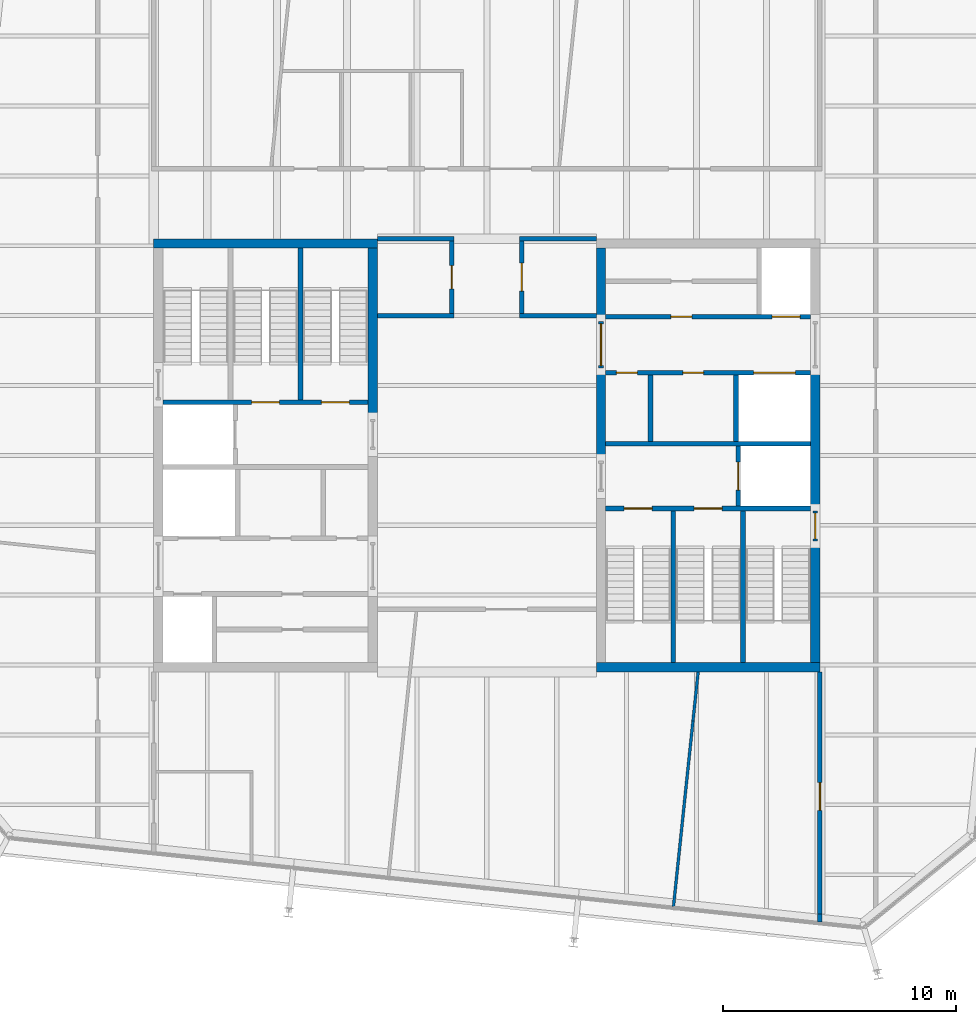
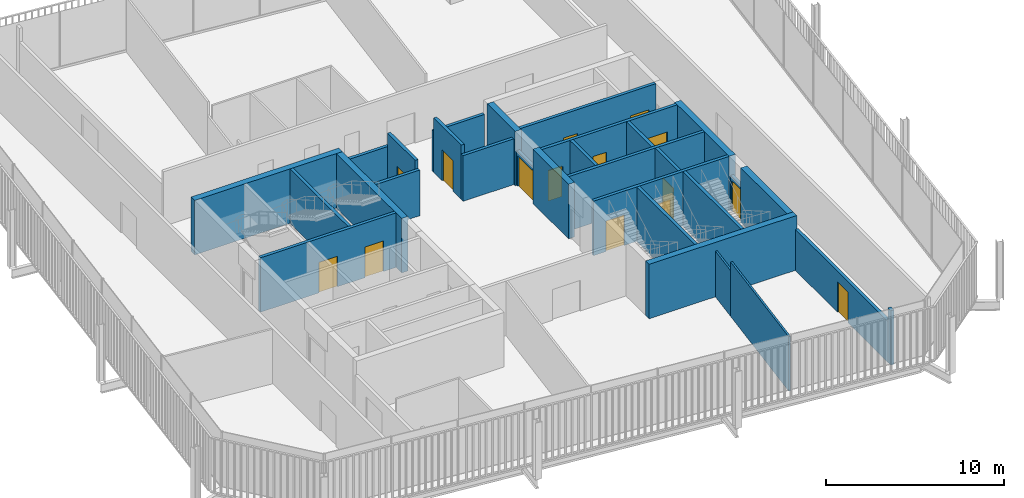
# One storey, part 17 of 20: 30 walls, 15 doors, 15 openings.
"""IFC4 building model written with IfcOpenShell, lengths in metres."""

from ifc_helpers import new_model, si_unit, direction, frame, frame_2d, origin, place, context, subcontext, project, spatial, rectangle, extrude, material, layer, layer_set, type_object, element, fill, save


model = new_model("IFC4")

# Units and contexts
model_context = context("Model", 3, precision=1e-05, world=origin(), true_north=direction((0.0, 1.0)))
body_context = subcontext(model_context, "Body", "Model", "MODEL_VIEW")
ifc_project = project(units=[si_unit("LENGTHUNIT", "METRE"), si_unit("AREAUNIT", "SQUARE_METRE"), si_unit("VOLUMEUNIT", "CUBIC_METRE"), si_unit("PLANEANGLEUNIT", "RADIAN"), si_unit("MASSUNIT", "GRAM", prefix="KILO")], contexts=[model_context])

# Site, building, storey
site_placement = place(None, origin())
site = spatial("IfcSite", under=ifc_project, at=site_placement, CompositionType="ELEMENT")
building_placement = place(site_placement, origin())
building = spatial("IfcBuilding", under=site, at=building_placement, Name="Millrace Tower", CompositionType="ELEMENT")
storey_placement = place(building_placement, frame((0.0, 0.0, 303.300048828125)))
storey = spatial("IfcBuildingStorey", under=building, at=storey_placement, Name="L70", CompositionType="ELEMENT", Elevation=303.300048828125)

# Walls
ifc_material_1 = material(Name="Concrete C60", Category="concrete")
ifc_layer_1 = layer(ifc_material_1, 0.39990234375)
ifc_layer_set_1 = layer_set([ifc_layer_1], Name="Concrete C60")
wall_type_1 = type_object("IfcWallType", Name="Core wall 400 Concrete C60", PredefinedType="SHEAR", material=ifc_layer_set_1)
wall_1_placement = place(storey_placement, frame((-14.300048828125, 9.10009765625, 0.0), z_axis=(0.0, 0.0, 1.0), x_axis=(1.0, 0.0, 0.0)))
element("IfcWall", 1, at=wall_1_placement, inside=storey, type_object=wall_type_1, Name="Core wall W L70", PredefinedType="SHEAR", context=body_context, shape_type="SweptSolid", body=[
    extrude(rectangle(XDim=9.60009765625, YDim=0.39990234375, at=frame_2d((4.800048828125, 0.0))), origin(), (0.0, 0.0, 1.0), 3.739990234375),
])
wall_2_placement = place(storey_placement, frame((-4.89990234375, 1.550048828125, 0.0), z_axis=(0.0, 0.0, 1.0), x_axis=(0.0, 1.0, 0.0)))
element("IfcWall", 2, at=wall_2_placement, inside=storey, type_object=wall_type_1, Name="Core wall W L70", PredefinedType="SHEAR", context=body_context, shape_type="SweptSolid", body=[
    extrude(rectangle(XDim=7.349853515625, YDim=0.39990234375, at=frame_2d((3.6748046875, 0.0))), origin(), (0.0, 0.0, 1.0), 3.739990234375),
])
wall_3_placement = place(storey_placement, frame((14.300048828125, -9.10009765625, 0.0), z_axis=(0.0, 0.0, 1.0), x_axis=(-1.0, 0.0, 0.0)))
element("IfcWall", 3, at=wall_3_placement, inside=storey, type_object=wall_type_1, Name="Core wall E L70", PredefinedType="SHEAR", context=body_context, shape_type="SweptSolid", body=[
    extrude(rectangle(XDim=9.60009765625, YDim=0.39990234375, at=frame_2d((4.800048828125, 0.0))), origin(), (0.0, 0.0, 1.0), 3.739990234375),
])
wall_4_placement = place(storey_placement, frame((14.10009765625, 3.75, 0.0), z_axis=(0.0, 0.0, 1.0), x_axis=(0.0, -1.0, 0.0)))
element("IfcWall", 4, at=wall_4_placement, inside=storey, type_object=wall_type_1, Name="Core wall E L70", PredefinedType="SHEAR", context=body_context, shape_type="SweptSolid", body=[
    extrude(rectangle(XDim=6.1298828125, YDim=0.39990234375, at=frame_2d((3.06494140625, 0.0))), origin(), (0.0, 0.0, 1.0), 3.739990234375),
])
wall_5_placement = place(storey_placement, frame((14.10009765625, -3.679931640625, 0.0), z_axis=(0.0, 0.0, 1.0), x_axis=(0.0, -1.0, 0.0)))
element("IfcWall", 5, at=wall_5_placement, inside=storey, type_object=wall_type_1, Name="Core wall E L70", PredefinedType="SHEAR", context=body_context, shape_type="SweptSolid", body=[
    extrude(rectangle(XDim=5.219970703125, YDim=0.39990234375, at=frame_2d((2.60986328125, 0.0))), origin(), (0.0, 0.0, 1.0), 3.739990234375),
])
wall_6_placement = place(storey_placement, frame((4.89990234375, 8.89990234375, 0.0), z_axis=(0.0, 0.0, 1.0), x_axis=(0.0, -1.0, 0.0)))
element("IfcWall", 6, at=wall_6_placement, inside=storey, type_object=wall_type_1, Name="Core wall E L70", PredefinedType="SHEAR", context=body_context, shape_type="SweptSolid", body=[
    extrude(rectangle(XDim=3.14990234375, YDim=0.39990234375, at=frame_2d((1.574951171875, 0.0))), origin(), (0.0, 0.0, 1.0), 3.739990234375),
])
wall_7_placement = place(storey_placement, frame((4.89990234375, 3.75, 0.0), z_axis=(0.0, 0.0, 1.0), x_axis=(0.0, -1.0, 0.0)))
element("IfcWall", 7, at=wall_7_placement, inside=storey, type_object=wall_type_1, Name="Core wall E L70", PredefinedType="SHEAR", context=body_context, shape_type="SweptSolid", body=[
    extrude(rectangle(XDim=4.0, YDim=0.39990234375, at=frame_2d((2.0, 0.0))), origin(), (0.0, 0.0, 1.0), 3.739990234375),
])
ifc_material_2 = material(Name="Masonry partition, fire-rated", Category="masonry")
ifc_layer_2 = layer(ifc_material_2, 0.199951171875)
ifc_layer_set_2 = layer_set([ifc_layer_2], Name="Masonry partition, fire-rated")
wall_type_2 = type_object("IfcWallType", Name="Corridor wall 200", PredefinedType="PARTITIONING", material=ifc_layer_set_2)
for number, where, z_axis, x_axis, name in (
    (8, (-4.699951171875, 6.0, 0.0), (0.0, 0.0, 1.0), (1.0, 0.0, 0.0), "Corridor wall L70"),
    (9, (1.39990234375, 6.0, 0.0), (0.0, 0.0, 1.0), (1.0, 0.0, 0.0), "Corridor wall L70"),
):
    element("IfcWall", number, at=place(storey_placement, frame(where, z_axis=z_axis, x_axis=x_axis)), inside=storey, type_object=wall_type_2, Name=name, PredefinedType="PARTITIONING", context=body_context, shape_type="SweptSolid", body=[
        extrude(rectangle(XDim=3.300048828125, YDim=0.199951171875, at=frame_2d((1.64990234375, 0.0))), origin(), (0.0, 0.0, 1.0), 3.140625),
    ])
for number, where, z_axis, x_axis, name in (
    (10, (-4.699951171875, 9.300048828125, 0.0), (0.0, 0.0, 1.0), (1.0, 0.0, 0.0), "Corridor wall L70"),
    (11, (1.39990234375, 9.300048828125, 0.0), (0.0, 0.0, 1.0), (1.0, 0.0, 0.0), "Corridor wall L70"),
):
    element("IfcWall", number, at=place(storey_placement, frame(where, z_axis=z_axis, x_axis=x_axis)), inside=storey, type_object=wall_type_2, Name=name, PredefinedType="PARTITIONING", context=body_context, shape_type="SweptSolid", body=[
        extrude(rectangle(XDim=3.300048828125, YDim=0.199951171875, at=frame_2d((1.64990234375, 0.0))), origin(), (0.0, 0.0, 1.0), 2.812744140625),
    ])
wall_8_placement = place(storey_placement, frame((14.300048828125, -20.037353515625, 0.0), z_axis=(0.0, 0.0, 1.0), x_axis=(0.0, 1.0, 0.0)))
element("IfcWall", 12, at=wall_8_placement, inside=storey, type_object=wall_type_2, Name="Corridor wall L70", PredefinedType="PARTITIONING", context=body_context, shape_type="SweptSolid", body=[
    extrude(rectangle(XDim=0.339111328125, YDim=0.199951171875, at=frame_2d((0.16943359375, 0.0))), origin(), (0.0, 0.0, 1.0), 3.739990234375),
])

# Wall, opening, door
wall_9_placement = place(storey_placement, frame((14.300048828125, -19.6982421875, 0.0), z_axis=(0.0, 0.0, 1.0), x_axis=(0.0, 1.0, 0.0)))
wall_9 = element("IfcWall", 13, at=wall_9_placement, inside=storey, type_object=wall_type_2, Name="Corridor wall L70", PredefinedType="PARTITIONING", context=body_context, shape_type="SweptSolid", body=[
    extrude(rectangle(XDim=10.398193359375, YDim=0.199951171875, at=frame_2d((5.19921875, 0.0))), origin(), (0.0, 0.0, 1.0), 2.812744140625),
])
opening_1_placement = place(wall_9_placement, frame((4.454833984375, 0.0, 0.0)))
opening_1 = element("IfcOpeningElement", 14, at=opening_1_placement, cuts=wall_9, Name="Opening 70-P013", PredefinedType="OPENING", context=body_context, shape_type="SweptSolid", body=[
    extrude(rectangle(XDim=1.199951171875, YDim=2.10009765625, at=frame_2d((0.60009765625, 1.050048828125))), frame((0.0, 0.10986328125, 0.0), z_axis=(0.0, -1.0, 0.0), x_axis=(1.0, 0.0, 0.0)), (0.0, 0.0, 1.0), 0.219970703125),
])
ifc_material_3 = material(Name="Steel door set, fire-rated", Category="steel")
door_type_1 = type_object("IfcDoorType", Name="Corridor door 1200 x 2100", OperationType="SINGLE_SWING_LEFT", PredefinedType="DOOR", material=ifc_material_3)
door_1_placement = place(opening_1_placement, origin())
door_1 = element("IfcDoor", 15, at=door_1_placement, inside=storey, type_object=door_type_1, Name="Door 70-P013", OperationType="SINGLE_SWING_LEFT", OverallHeight=2.10009765625, OverallWidth=1.199951171875, PredefinedType="DOOR", context=body_context, shape_type="SweptSolid", body=[
    extrude(rectangle(XDim=1.199951171875, YDim=2.10009765625, at=frame_2d((0.60009765625, 1.050048828125))), frame((0.0, 0.02490234375, 0.0), z_axis=(0.0, -1.0, 0.0), x_axis=(1.0, 0.0, 0.0)), (0.0, 0.0, 1.0), 0.050048828125),
])
fill(opening_1, door_1)

wall_10_placement = place(storey_placement, frame((1.5, 6.10009765625, 0.0), z_axis=(0.0, 0.0, 1.0), x_axis=(0.0, 1.0, 0.0)))
wall_10 = element("IfcWall", 16, at=wall_10_placement, inside=storey, type_object=wall_type_2, Name="Corridor wall L70", PredefinedType="PARTITIONING", context=body_context, shape_type="SweptSolid", body=[
    extrude(rectangle(XDim=3.099853515625, YDim=0.199951171875, at=frame_2d((1.5498046875, 0.0))), origin(), (0.0, 0.0, 1.0), 3.739990234375),
])
opening_2_placement = place(wall_10_placement, frame((0.949951171875, 0.0, 0.0)))
opening_2 = element("IfcOpeningElement", 17, at=opening_2_placement, cuts=wall_10, Name="Opening 70-P002", PredefinedType="OPENING", context=body_context, shape_type="SweptSolid", body=[
    extrude(rectangle(XDim=1.199951171875, YDim=2.10009765625, at=frame_2d((0.60009765625, 1.050048828125))), frame((0.0, 0.10986328125, 0.0), z_axis=(0.0, -1.0, 0.0), x_axis=(1.0, 0.0, 0.0)), (0.0, 0.0, 1.0), 0.219970703125),
])
door_2_placement = place(opening_2_placement, frame((1.199951171875, 0.0, 0.0), z_axis=(0.0, 0.0, 1.0), x_axis=(-1.0, 0.0, 0.0)))
door_2 = element("IfcDoor", 18, at=door_2_placement, inside=storey, type_object=door_type_1, Name="Door 70-P002", OperationType="SINGLE_SWING_LEFT", OverallHeight=2.10009765625, OverallWidth=1.199951171875, PredefinedType="DOOR", context=body_context, shape_type="SweptSolid", body=[
    extrude(rectangle(XDim=1.199951171875, YDim=2.10009765625, at=frame_2d((0.60009765625, 1.050048828125))), frame((0.0, 0.02490234375, 0.0), z_axis=(0.0, -1.0, 0.0), x_axis=(1.0, 0.0, 0.0)), (0.0, 0.0, 1.0), 0.050048828125),
])
fill(opening_2, door_2)

wall_11_placement = place(storey_placement, frame((-1.5, 6.10009765625, 0.0), z_axis=(0.0, 0.0, 1.0), x_axis=(0.0, 1.0, 0.0)))
wall_11 = element("IfcWall", 19, at=wall_11_placement, inside=storey, type_object=wall_type_2, Name="Corridor wall L70", PredefinedType="PARTITIONING", context=body_context, shape_type="SweptSolid", body=[
    extrude(rectangle(XDim=3.099853515625, YDim=0.199951171875, at=frame_2d((1.5498046875, 0.0))), origin(), (0.0, 0.0, 1.0), 3.739990234375),
])
opening_3_placement = place(wall_11_placement, frame((1.050048828125, 0.0, 0.0)))
opening_3 = element("IfcOpeningElement", 20, at=opening_3_placement, cuts=wall_11, Name="Opening 70-P001", PredefinedType="OPENING", context=body_context, shape_type="SweptSolid", body=[
    extrude(rectangle(XDim=1.0, YDim=2.10009765625, at=frame_2d((0.5, 1.050048828125))), frame((0.0, 0.10986328125, 0.0), z_axis=(0.0, -1.0, 0.0), x_axis=(1.0, 0.0, 0.0)), (0.0, 0.0, 1.0), 0.219970703125),
])
ifc_material_4 = material(Name="Steel door set, fire-rated", Category="steel")
door_type_2 = type_object("IfcDoorType", Name="Corridor door 1000 x 2100", OperationType="SINGLE_SWING_LEFT", PredefinedType="DOOR", material=ifc_material_4)
door_3_placement = place(opening_3_placement, origin())
door_3 = element("IfcDoor", 21, at=door_3_placement, inside=storey, type_object=door_type_2, Name="Door 70-P001", OperationType="SINGLE_SWING_RIGHT", OverallHeight=2.10009765625, OverallWidth=1.0, PredefinedType="DOOR", context=body_context, shape_type="SweptSolid", body=[
    extrude(rectangle(XDim=1.0, YDim=2.10009765625, at=frame_2d((0.5, 1.050048828125))), frame((0.0, 0.02490234375, 0.0), z_axis=(0.0, -1.0, 0.0), x_axis=(1.0, 0.0, 0.0)), (0.0, 0.0, 1.0), 0.050048828125),
])
fill(opening_3, door_3)

# Wall, openings, doors
ifc_material_5 = material(Name="Masonry partition, fire-rated", Category="masonry")
ifc_layer_3 = layer(ifc_material_5, 0.199951171875)
ifc_layer_set_3 = layer_set([ifc_layer_3], Name="Masonry partition, fire-rated")
wall_type_3 = type_object("IfcWallType", Name="Lift shaft wall 200", PredefinedType="PARTITIONING", material=ifc_layer_set_3)
wall_12_placement = place(storey_placement, frame((13.89990234375, 5.949951171875, 0.0), z_axis=(0.0, 0.0, 1.0), x_axis=(-1.0, 0.0, 0.0)))
wall_12 = element("IfcWall", 22, at=wall_12_placement, inside=storey, type_object=wall_type_3, Name="Lift shaft wall E L70", PredefinedType="PARTITIONING", context=body_context, shape_type="SweptSolid", body=[
    extrude(rectangle(XDim=8.7998046875, YDim=0.199951171875, at=frame_2d((4.39990234375, 0.0))), origin(), (0.0, 0.0, 1.0), 3.739990234375),
])
opening_4_placement = place(wall_12_placement, frame((0.449951171875, 0.0, 0.0)))
opening_4 = element("IfcOpeningElement", 23, at=opening_4_placement, cuts=wall_12, Name="Opening 70-LD09", PredefinedType="OPENING", context=body_context, shape_type="SweptSolid", body=[
    extrude(rectangle(XDim=1.199951171875, YDim=2.10009765625, at=frame_2d((0.60009765625, 1.050048828125))), frame((0.0, 0.10986328125, 0.0), z_axis=(0.0, -1.0, 0.0), x_axis=(1.0, 0.0, 0.0)), (0.0, 0.0, 1.0), 0.219970703125),
])
opening_5_placement = place(wall_12_placement, frame((5.10009765625, 0.0, 0.0)))
opening_5 = element("IfcOpeningElement", 24, at=opening_5_placement, cuts=wall_12, Name="Opening 70-C015", PredefinedType="OPENING", context=body_context, shape_type="SweptSolid", body=[
    extrude(rectangle(XDim=0.89990234375, YDim=2.10009765625, at=frame_2d((0.449951171875, 1.050048828125))), frame((0.0, 0.10986328125, 0.0), z_axis=(0.0, -1.0, 0.0), x_axis=(1.0, 0.0, 0.0)), (0.0, 0.0, 1.0), 0.219970703125),
])
ifc_material_6 = material(Name="Stainless steel, fire-rated", Category="steel")
door_type_3 = type_object("IfcDoorType", Name="Lift landing door 1200 x 2100", OperationType="DOUBLE_DOOR_SLIDING", PredefinedType="DOOR", material=ifc_material_6)
door_4_placement = place(opening_4_placement, origin())
door_4 = element("IfcDoor", 25, at=door_4_placement, inside=storey, type_object=door_type_3, Name="Lift landing door LF9 L70", OperationType="DOUBLE_DOOR_SLIDING", OverallHeight=2.10009765625, OverallWidth=1.199951171875, PredefinedType="DOOR", context=body_context, shape_type="SweptSolid", body=[
    extrude(rectangle(XDim=1.199951171875, YDim=2.10009765625, at=frame_2d((0.60009765625, 1.050048828125))), frame((0.0, 0.02490234375, 0.0), z_axis=(0.0, -1.0, 0.0), x_axis=(1.0, 0.0, 0.0)), (0.0, 0.0, 1.0), 0.050048828125),
])
fill(opening_4, door_4)
ifc_material_7 = material(Name="Steel door, fire-rated", Category="steel")
door_type_4 = type_object("IfcDoorType", Name="Service room door 900 x 2100", OperationType="SINGLE_SWING_LEFT", PredefinedType="DOOR", material=ifc_material_7)
door_5_placement = place(opening_5_placement, origin())
door_5 = element("IfcDoor", 26, at=door_5_placement, inside=storey, type_object=door_type_4, Name="Service room door 70-C015", OperationType="SINGLE_SWING_RIGHT", OverallHeight=2.10009765625, OverallWidth=0.89990234375, PredefinedType="DOOR", context=body_context, shape_type="SweptSolid", body=[
    extrude(rectangle(XDim=0.89990234375, YDim=2.10009765625, at=frame_2d((0.449951171875, 1.050048828125))), frame((0.0, 0.02490234375, 0.0), z_axis=(0.0, -1.0, 0.0), x_axis=(1.0, 0.0, 0.0)), (0.0, 0.0, 1.0), 0.050048828125),
])
fill(opening_5, door_5)

wall_13_placement = place(storey_placement, frame((13.89990234375, 3.550048828125, 0.0), z_axis=(0.0, 0.0, 1.0), x_axis=(-1.0, 0.0, 0.0)))
wall_13 = element("IfcWall", 27, at=wall_13_placement, inside=storey, type_object=wall_type_3, Name="Lift shaft wall E L70", PredefinedType="PARTITIONING", context=body_context, shape_type="SweptSolid", body=[
    extrude(rectangle(XDim=8.7998046875, YDim=0.199951171875, at=frame_2d((4.39990234375, 0.0))), origin(), (0.0, 0.0, 1.0), 3.739990234375),
])
opening_6_placement = place(wall_13_placement, frame((0.64990234375, 0.0, 0.0)))
opening_6 = element("IfcOpeningElement", 28, at=opening_6_placement, cuts=wall_13, Name="Opening 70-LD13", PredefinedType="OPENING", context=body_context, shape_type="SweptSolid", body=[
    extrude(rectangle(XDim=1.800048828125, YDim=2.10009765625, at=frame_2d((0.89990234375, 1.050048828125))), frame((0.0, 0.10986328125, 0.0), z_axis=(0.0, -1.0, 0.0), x_axis=(1.0, 0.0, 0.0)), (0.0, 0.0, 1.0), 0.219970703125),
])
opening_7_placement = place(wall_13_placement, frame((4.58740234375, 0.0, 0.0)))
opening_7 = element("IfcOpeningElement", 29, at=opening_7_placement, cuts=wall_13, Name="Opening 70-C017", PredefinedType="OPENING", context=body_context, shape_type="SweptSolid", body=[
    extrude(rectangle(XDim=0.89990234375, YDim=2.10009765625, at=frame_2d((0.449951171875, 1.050048828125))), frame((0.0, 0.10986328125, 0.0), z_axis=(0.0, -1.0, 0.0), x_axis=(1.0, 0.0, 0.0)), (0.0, 0.0, 1.0), 0.219970703125),
])
opening_8_placement = place(wall_13_placement, frame((7.4375, 0.0, 0.0)))
opening_8 = element("IfcOpeningElement", 30, at=opening_8_placement, cuts=wall_13, Name="Opening 70-C018", PredefinedType="OPENING", context=body_context, shape_type="SweptSolid", body=[
    extrude(rectangle(XDim=0.89990234375, YDim=2.10009765625, at=frame_2d((0.449951171875, 1.050048828125))), frame((0.0, 0.10986328125, 0.0), z_axis=(0.0, -1.0, 0.0), x_axis=(1.0, 0.0, 0.0)), (0.0, 0.0, 1.0), 0.219970703125),
])
ifc_material_8 = material(Name="Stainless steel, fire-rated", Category="steel")
door_type_5 = type_object("IfcDoorType", Name="Lift landing door 1800 x 2100", OperationType="DOUBLE_DOOR_SLIDING", PredefinedType="DOOR", material=ifc_material_8)
door_6_placement = place(opening_6_placement, origin())
door_6 = element("IfcDoor", 31, at=door_6_placement, inside=storey, type_object=door_type_5, Name="Lift landing door LF13 L70", OperationType="DOUBLE_DOOR_SLIDING", OverallHeight=2.10009765625, OverallWidth=1.800048828125, PredefinedType="DOOR", context=body_context, shape_type="SweptSolid", body=[
    extrude(rectangle(XDim=1.800048828125, YDim=2.10009765625, at=frame_2d((0.89990234375, 1.050048828125))), frame((0.0, 0.02490234375, 0.0), z_axis=(0.0, -1.0, 0.0), x_axis=(1.0, 0.0, 0.0)), (0.0, 0.0, 1.0), 0.050048828125),
])
fill(opening_6, door_6)
door_7_placement = place(opening_7_placement, origin())
door_7 = element("IfcDoor", 32, at=door_7_placement, inside=storey, type_object=door_type_4, Name="Service room door 70-C017", OperationType="SINGLE_SWING_RIGHT", OverallHeight=2.10009765625, OverallWidth=0.89990234375, PredefinedType="DOOR", context=body_context, shape_type="SweptSolid", body=[
    extrude(rectangle(XDim=0.89990234375, YDim=2.10009765625, at=frame_2d((0.449951171875, 1.050048828125))), frame((0.0, 0.02490234375, 0.0), z_axis=(0.0, -1.0, 0.0), x_axis=(1.0, 0.0, 0.0)), (0.0, 0.0, 1.0), 0.050048828125),
])
fill(opening_7, door_7)
door_8_placement = place(opening_8_placement, origin())
door_8 = element("IfcDoor", 33, at=door_8_placement, inside=storey, type_object=door_type_4, Name="Service room door 70-C018", OperationType="SINGLE_SWING_RIGHT", OverallHeight=2.10009765625, OverallWidth=0.89990234375, PredefinedType="DOOR", context=body_context, shape_type="SweptSolid", body=[
    extrude(rectangle(XDim=0.89990234375, YDim=2.10009765625, at=frame_2d((0.449951171875, 1.050048828125))), frame((0.0, 0.02490234375, 0.0), z_axis=(0.0, -1.0, 0.0), x_axis=(1.0, 0.0, 0.0)), (0.0, 0.0, 1.0), 0.050048828125),
])
fill(opening_8, door_8)

# Wall
wall_14_placement = place(storey_placement, frame((13.89990234375, 0.5, 0.0), z_axis=(0.0, 0.0, 1.0), x_axis=(-1.0, 0.0, 0.0)))
element("IfcWall", 34, at=wall_14_placement, inside=storey, type_object=wall_type_3, Name="Lift shaft wall E L70", PredefinedType="PARTITIONING", context=body_context, shape_type="SweptSolid", body=[
    extrude(rectangle(XDim=8.7998046875, YDim=0.199951171875, at=frame_2d((4.39990234375, 0.0))), origin(), (0.0, 0.0, 1.0), 3.739990234375),
])

# Wall, opening, door
wall_15_placement = place(storey_placement, frame((10.800048828125, 0.39990234375, 0.0), z_axis=(0.0, 0.0, 1.0), x_axis=(0.0, -1.0, 0.0)))
wall_15 = element("IfcWall", 35, at=wall_15_placement, inside=storey, type_object=wall_type_3, Name="Lift shaft wall E L70", PredefinedType="PARTITIONING", context=body_context, shape_type="SweptSolid", body=[
    extrude(rectangle(XDim=2.579833984375, YDim=0.199951171875, at=frame_2d((1.2900390625, 0.0))), origin(), (0.0, 0.0, 1.0), 3.739990234375),
])
opening_9_placement = place(wall_15_placement, frame((0.68994140625, 0.0, 0.0)))
opening_9 = element("IfcOpeningElement", 36, at=opening_9_placement, cuts=wall_15, Name="Opening 70-LD16", PredefinedType="OPENING", context=body_context, shape_type="SweptSolid", body=[
    extrude(rectangle(XDim=1.199951171875, YDim=2.10009765625, at=frame_2d((0.60009765625, 1.050048828125))), frame((0.0, 0.10986328125, 0.0), z_axis=(0.0, -1.0, 0.0), x_axis=(1.0, 0.0, 0.0)), (0.0, 0.0, 1.0), 0.219970703125),
])
door_9_placement = place(opening_9_placement, origin())
door_9 = element("IfcDoor", 37, at=door_9_placement, inside=storey, type_object=door_type_3, Name="Lift landing door LF16 L70", OperationType="DOUBLE_DOOR_SLIDING", OverallHeight=2.10009765625, OverallWidth=1.199951171875, PredefinedType="DOOR", context=body_context, shape_type="SweptSolid", body=[
    extrude(rectangle(XDim=1.199951171875, YDim=2.10009765625, at=frame_2d((0.60009765625, 1.050048828125))), frame((0.0, 0.02490234375, 0.0), z_axis=(0.0, -1.0, 0.0), x_axis=(1.0, 0.0, 0.0)), (0.0, 0.0, 1.0), 0.050048828125),
])
fill(opening_9, door_9)

# Wall
wall_16_placement = place(storey_placement, frame((10.699951171875, 3.449951171875, 0.0), z_axis=(0.0, 0.0, 1.0), x_axis=(0.0, -1.0, 0.0)))
element("IfcWall", 38, at=wall_16_placement, inside=storey, type_object=wall_type_3, Name="Lift shaft wall E L70", PredefinedType="PARTITIONING", context=body_context, shape_type="SweptSolid", body=[
    extrude(rectangle(XDim=2.849853515625, YDim=0.199951171875, at=frame_2d((1.4248046875, 0.0))), origin(), (0.0, 0.0, 1.0), 3.739990234375),
])

# Wall, opening, door
ifc_material_9 = material(Name="Masonry partition, fire-rated", Category="masonry")
ifc_layer_4 = layer(ifc_material_9, 0.199951171875)
ifc_layer_set_4 = layer_set([ifc_layer_4], Name="Masonry partition, fire-rated")
wall_type_4 = type_object("IfcWallType", Name="Lobby wall 200", PredefinedType="PARTITIONING", material=ifc_layer_set_4)
wall_17_placement = place(storey_placement, frame((4.89990234375, 5.75, 0.0), z_axis=(0.0, 0.0, 1.0), x_axis=(0.0, -1.0, 0.0)))
wall_17 = element("IfcWall", 39, at=wall_17_placement, inside=storey, type_object=wall_type_4, Name="Lobby wall E L70", PredefinedType="PARTITIONING", context=body_context, shape_type="SweptSolid", body=[
    extrude(rectangle(XDim=2.0, YDim=0.199951171875, at=frame_2d((1.0, 0.0))), origin(), (0.0, 0.0, 1.0), 2.39990234375),
])
opening_10_placement = place(wall_17_placement, frame((0.10009765625, 0.0, 0.0)))
opening_10 = element("IfcOpeningElement", 40, at=opening_10_placement, cuts=wall_17, Name="Opening 70-C013", PredefinedType="OPENING", context=body_context, shape_type="SweptSolid", body=[
    extrude(rectangle(XDim=1.800048828125, YDim=2.10009765625, at=frame_2d((0.89990234375, 1.050048828125))), frame((0.0, 0.10986328125, 0.0), z_axis=(0.0, -1.0, 0.0), x_axis=(1.0, 0.0, 0.0)), (0.0, 0.0, 1.0), 0.219970703125),
])
ifc_material_10 = material(Name="Steel door, fire-rated", Category="steel")
door_type_6 = type_object("IfcDoorType", Name="Lobby door 1800 x 2100", OperationType="DOUBLE_DOOR_SINGLE_SWING", PredefinedType="DOOR", material=ifc_material_10)
door_10_placement = place(opening_10_placement, frame((1.800048828125, 0.0, 0.0), z_axis=(0.0, 0.0, 1.0), x_axis=(-1.0, 0.0, 0.0)))
door_10 = element("IfcDoor", 41, at=door_10_placement, inside=storey, type_object=door_type_6, Name="Lobby door 70-C013", OperationType="DOUBLE_DOOR_SINGLE_SWING", OverallHeight=2.10009765625, OverallWidth=1.800048828125, PredefinedType="DOOR", context=body_context, shape_type="SweptSolid", body=[
    extrude(rectangle(XDim=1.800048828125, YDim=2.10009765625, at=frame_2d((0.89990234375, 1.050048828125))), frame((0.0, 0.02490234375, 0.0), z_axis=(0.0, -1.0, 0.0), x_axis=(1.0, 0.0, 0.0)), (0.0, 0.0, 1.0), 0.050048828125),
])
fill(opening_10, door_10)

# Walls
ifc_material_11 = material(Name="Gypsum board partition")
ifc_layer_5 = layer(ifc_material_11, 0.1201171875)
ifc_layer_set_5 = layer_set([ifc_layer_5], Name="Gypsum board partition")
wall_type_5 = type_object("IfcWallType", Name="Partition wall 120", PredefinedType="PARTITIONING", material=ifc_layer_set_5)
wall_18_placement = place(storey_placement, frame((8.0126953125, -19.376708984375, 0.0), z_axis=(0.0, 0.0, 1.0), x_axis=(0.104553276341, 0.994519287096, 0.0)))
element("IfcWall", 42, at=wall_18_placement, inside=storey, type_object=wall_type_5, Name="Partition wall L70", PredefinedType="PARTITIONING", context=body_context, shape_type="SweptSolid", body=[
    extrude(rectangle(XDim=8.02099609375, YDim=0.1201171875, at=frame_2d((4.010498046875, 0.0))), origin(), (0.0, 0.0, 1.0), 3.739990234375),
])
wall_19_placement = place(storey_placement, frame((8.851318359375, -11.399658203125, 0.0), z_axis=(0.0, 0.0, 1.0), x_axis=(0.1045403102, 0.994520650134, 0.0)))
element("IfcWall", 43, at=wall_19_placement, inside=storey, type_object=wall_type_5, Name="Partition wall L70", PredefinedType="PARTITIONING", context=body_context, shape_type="SweptSolid", body=[
    extrude(rectangle(XDim=2.111083984375, YDim=0.1201171875, at=frame_2d((1.0556640625, 0.0))), origin(), (0.0, 0.0, 1.0), 3.140625),
])
ifc_material_12 = material(Name="Masonry partition, fire-rated", Category="masonry")
ifc_layer_6 = layer(ifc_material_12, 0.199951171875)
ifc_layer_set_6 = layer_set([ifc_layer_6], Name="Masonry partition, fire-rated")
wall_type_6 = type_object("IfcWallType", Name="Room partition 200", PredefinedType="PARTITIONING", material=ifc_layer_set_6)
wall_20_placement = place(storey_placement, frame((7.02490234375, 3.449951171875, 0.0), z_axis=(0.0, 0.0, 1.0), x_axis=(0.0, -1.0, 0.0)))
element("IfcWall", 44, at=wall_20_placement, inside=storey, type_object=wall_type_6, Name="Room partition E L70", PredefinedType="PARTITIONING", context=body_context, shape_type="SweptSolid", body=[
    extrude(rectangle(XDim=2.849853515625, YDim=0.199951171875, at=frame_2d((1.4248046875, 0.0))), origin(), (0.0, 0.0, 1.0), 3.739990234375),
])

# Wall, openings, doors
ifc_material_13 = material(Name="Concrete C40", Category="concrete")
ifc_layer_7 = layer(ifc_material_13, 0.199951171875)
ifc_layer_set_7 = layer_set([ifc_layer_7], Name="Concrete C40")
wall_type_7 = type_object("IfcWallType", Name="Stair enclosure wall 200 Concrete C40", PredefinedType="SHEAR", material=ifc_layer_set_7)
wall_21_placement = place(storey_placement, frame((-13.89990234375, 2.280029296875, 0.0), z_axis=(0.0, 0.0, 1.0), x_axis=(1.0, 0.0, 0.0)))
wall_21 = element("IfcWall", 45, at=wall_21_placement, inside=storey, type_object=wall_type_7, Name="Stair enclosure wall W L70", PredefinedType="SHEAR", context=body_context, shape_type="SweptSolid", body=[
    extrude(rectangle(XDim=8.7998046875, YDim=0.199951171875, at=frame_2d((4.39990234375, 0.0))), origin(), (0.0, 0.0, 1.0), 3.739990234375),
])
opening_11_placement = place(wall_21_placement, frame((3.800048828125, 0.0, 0.0)))
opening_11 = element("IfcOpeningElement", 46, at=opening_11_placement, cuts=wall_21, Name="Opening 70-C009", PredefinedType="OPENING", context=body_context, shape_type="SweptSolid", body=[
    extrude(rectangle(XDim=1.199951171875, YDim=2.10009765625, at=frame_2d((0.60009765625, 1.050048828125))), frame((0.0, 0.10986328125, 0.0), z_axis=(0.0, -1.0, 0.0), x_axis=(1.0, 0.0, 0.0)), (0.0, 0.0, 1.0), 0.219970703125),
])
opening_12_placement = place(wall_21_placement, frame((6.800048828125, 0.0, 0.0)))
opening_12 = element("IfcOpeningElement", 47, at=opening_12_placement, cuts=wall_21, Name="Opening 70-C010", PredefinedType="OPENING", context=body_context, shape_type="SweptSolid", body=[
    extrude(rectangle(XDim=1.199951171875, YDim=2.10009765625, at=frame_2d((0.60009765625, 1.050048828125))), frame((0.0, 0.10986328125, 0.0), z_axis=(0.0, -1.0, 0.0), x_axis=(1.0, 0.0, 0.0)), (0.0, 0.0, 1.0), 0.219970703125),
])
ifc_material_14 = material(Name="Steel door, fire-rated", Category="steel")
door_type_7 = type_object("IfcDoorType", Name="Stair door 1200 x 2100", OperationType="SINGLE_SWING_LEFT", PredefinedType="DOOR", material=ifc_material_14)
door_11_placement = place(opening_11_placement, frame((1.199951171875, 0.0, 0.0), z_axis=(0.0, 0.0, 1.0), x_axis=(-1.0, 0.0, 0.0)))
door_11 = element("IfcDoor", 48, at=door_11_placement, inside=storey, type_object=door_type_7, Name="Stair door 70-C009", OperationType="SINGLE_SWING_LEFT", OverallHeight=2.10009765625, OverallWidth=1.199951171875, PredefinedType="DOOR", context=body_context, shape_type="SweptSolid", body=[
    extrude(rectangle(XDim=1.199951171875, YDim=2.10009765625, at=frame_2d((0.60009765625, 1.050048828125))), frame((0.0, 0.02490234375, 0.0), z_axis=(0.0, -1.0, 0.0), x_axis=(1.0, 0.0, 0.0)), (0.0, 0.0, 1.0), 0.050048828125),
])
fill(opening_11, door_11)
door_12_placement = place(opening_12_placement, frame((1.199951171875, 0.0, 0.0), z_axis=(0.0, 0.0, 1.0), x_axis=(-1.0, 0.0, 0.0)))
door_12 = element("IfcDoor", 49, at=door_12_placement, inside=storey, type_object=door_type_7, Name="Stair door 70-C010", OperationType="SINGLE_SWING_LEFT", OverallHeight=2.10009765625, OverallWidth=1.199951171875, PredefinedType="DOOR", context=body_context, shape_type="SweptSolid", body=[
    extrude(rectangle(XDim=1.199951171875, YDim=2.10009765625, at=frame_2d((0.60009765625, 1.050048828125))), frame((0.0, 0.02490234375, 0.0), z_axis=(0.0, -1.0, 0.0), x_axis=(1.0, 0.0, 0.0)), (0.0, 0.0, 1.0), 0.050048828125),
])
fill(opening_12, door_12)

# Wall
wall_22_placement = place(storey_placement, frame((-8.0, 2.3798828125, 0.0), z_axis=(0.0, 0.0, 1.0), x_axis=(0.0, 1.0, 0.0)))
element("IfcWall", 50, at=wall_22_placement, inside=storey, type_object=wall_type_7, Name="Stair enclosure wall W L70", PredefinedType="SHEAR", context=body_context, shape_type="SweptSolid", body=[
    extrude(rectangle(XDim=6.52001953125, YDim=0.199951171875, at=frame_2d((3.260009765625, 0.0))), origin(), (0.0, 0.0, 1.0), 3.739990234375),
])

# Wall, opening, door
wall_23_placement = place(storey_placement, frame((14.10009765625, -2.3798828125, 0.0), z_axis=(0.0, 0.0, 1.0), x_axis=(0.0, -1.0, 0.0)))
wall_23 = element("IfcWall", 51, at=wall_23_placement, inside=storey, type_object=wall_type_7, Name="Stair enclosure wall E L70", PredefinedType="SHEAR", context=body_context, shape_type="SweptSolid", body=[
    extrude(rectangle(XDim=1.300048828125, YDim=0.199951171875, at=frame_2d((0.64990234375, 0.0))), origin(), (0.0, 0.0, 1.0), 2.39990234375),
])
opening_13_placement = place(wall_23_placement, frame((0.10009765625, 0.0, 0.0)))
opening_13 = element("IfcOpeningElement", 52, at=opening_13_placement, cuts=wall_23, Name="Opening 70-C012", PredefinedType="OPENING", context=body_context, shape_type="SweptSolid", body=[
    extrude(rectangle(XDim=1.10009765625, YDim=2.10009765625, at=frame_2d((0.550048828125, 1.050048828125))), frame((0.0, 0.10986328125, 0.0), z_axis=(0.0, -1.0, 0.0), x_axis=(1.0, 0.0, 0.0)), (0.0, 0.0, 1.0), 0.219970703125),
])
ifc_material_15 = material(Name="Steel door, fire-rated", Category="steel")
door_type_8 = type_object("IfcDoorType", Name="Stair door 1100 x 2100", OperationType="SINGLE_SWING_LEFT", PredefinedType="DOOR", material=ifc_material_15)
door_13_placement = place(opening_13_placement, origin())
door_13 = element("IfcDoor", 53, at=door_13_placement, inside=storey, type_object=door_type_8, Name="Stair door 70-C012", OperationType="SINGLE_SWING_RIGHT", OverallHeight=2.10009765625, OverallWidth=1.10009765625, PredefinedType="DOOR", context=body_context, shape_type="SweptSolid", body=[
    extrude(rectangle(XDim=1.10009765625, YDim=2.10009765625, at=frame_2d((0.550048828125, 1.050048828125))), frame((0.0, 0.02490234375, 0.0), z_axis=(0.0, -1.0, 0.0), x_axis=(1.0, 0.0, 0.0)), (0.0, 0.0, 1.0), 0.050048828125),
])
fill(opening_13, door_13)

# Wall, openings, doors
wall_24_placement = place(storey_placement, frame((13.89990234375, -2.280029296875, 0.0), z_axis=(0.0, 0.0, 1.0), x_axis=(-1.0, 0.0, 0.0)))
wall_24 = element("IfcWall", 54, at=wall_24_placement, inside=storey, type_object=wall_type_7, Name="Stair enclosure wall E L70", PredefinedType="SHEAR", context=body_context, shape_type="SweptSolid", body=[
    extrude(rectangle(XDim=8.7998046875, YDim=0.199951171875, at=frame_2d((4.39990234375, 0.0))), origin(), (0.0, 0.0, 1.0), 3.739990234375),
])
opening_14_placement = place(wall_24_placement, frame((3.800048828125, 0.0, 0.0)))
opening_14 = element("IfcOpeningElement", 55, at=opening_14_placement, cuts=wall_24, Name="Opening 70-C019", PredefinedType="OPENING", context=body_context, shape_type="SweptSolid", body=[
    extrude(rectangle(XDim=1.199951171875, YDim=2.10009765625, at=frame_2d((0.60009765625, 1.050048828125))), frame((0.0, 0.10986328125, 0.0), z_axis=(0.0, -1.0, 0.0), x_axis=(1.0, 0.0, 0.0)), (0.0, 0.0, 1.0), 0.219970703125),
])
opening_15_placement = place(wall_24_placement, frame((6.800048828125, 0.0, 0.0)))
opening_15 = element("IfcOpeningElement", 56, at=opening_15_placement, cuts=wall_24, Name="Opening 70-C020", PredefinedType="OPENING", context=body_context, shape_type="SweptSolid", body=[
    extrude(rectangle(XDim=1.199951171875, YDim=2.10009765625, at=frame_2d((0.60009765625, 1.050048828125))), frame((0.0, 0.10986328125, 0.0), z_axis=(0.0, -1.0, 0.0), x_axis=(1.0, 0.0, 0.0)), (0.0, 0.0, 1.0), 0.219970703125),
])
door_14_placement = place(opening_14_placement, frame((1.199951171875, 0.0, 0.0), z_axis=(0.0, 0.0, 1.0), x_axis=(-1.0, 0.0, 0.0)))
door_14 = element("IfcDoor", 57, at=door_14_placement, inside=storey, type_object=door_type_7, Name="Stair door 70-C019", OperationType="SINGLE_SWING_LEFT", OverallHeight=2.10009765625, OverallWidth=1.199951171875, PredefinedType="DOOR", context=body_context, shape_type="SweptSolid", body=[
    extrude(rectangle(XDim=1.199951171875, YDim=2.10009765625, at=frame_2d((0.60009765625, 1.050048828125))), frame((0.0, 0.02490234375, 0.0), z_axis=(0.0, -1.0, 0.0), x_axis=(1.0, 0.0, 0.0)), (0.0, 0.0, 1.0), 0.050048828125),
])
fill(opening_14, door_14)
door_15_placement = place(opening_15_placement, frame((1.199951171875, 0.0, 0.0), z_axis=(0.0, 0.0, 1.0), x_axis=(-1.0, 0.0, 0.0)))
door_15 = element("IfcDoor", 58, at=door_15_placement, inside=storey, type_object=door_type_7, Name="Stair door 70-C020", OperationType="SINGLE_SWING_LEFT", OverallHeight=2.10009765625, OverallWidth=1.199951171875, PredefinedType="DOOR", context=body_context, shape_type="SweptSolid", body=[
    extrude(rectangle(XDim=1.199951171875, YDim=2.10009765625, at=frame_2d((0.60009765625, 1.050048828125))), frame((0.0, 0.02490234375, 0.0), z_axis=(0.0, -1.0, 0.0), x_axis=(1.0, 0.0, 0.0)), (0.0, 0.0, 1.0), 0.050048828125),
])
fill(opening_15, door_15)

# Walls
for number, where, z_axis, x_axis, name in (
    (59, (11.0, -2.3798828125, 0.0), (0.0, 0.0, 1.0), (0.0, -1.0, 0.0), "Stair enclosure wall E L70"),
    (60, (8.0, -2.3798828125, 0.0), (0.0, 0.0, 1.0), (0.0, -1.0, 0.0), "Stair enclosure wall E L70"),
):
    element("IfcWall", number, at=place(storey_placement, frame(where, z_axis=z_axis, x_axis=x_axis)), inside=storey, type_object=wall_type_7, Name=name, PredefinedType="SHEAR", context=body_context, shape_type="SweptSolid", body=[
        extrude(rectangle(XDim=6.52001953125, YDim=0.199951171875, at=frame_2d((3.260009765625, 0.0))), origin(), (0.0, 0.0, 1.0), 3.739990234375),
    ])

save(model, "model.ifc")
